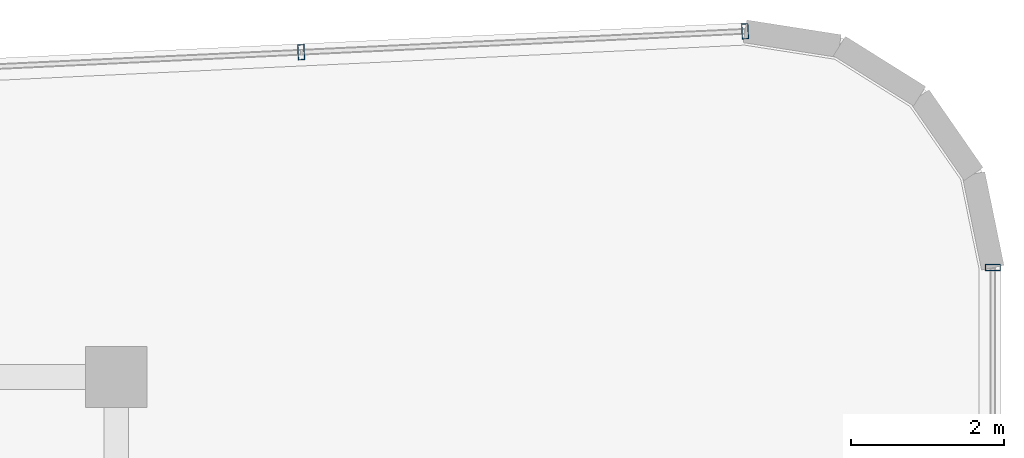
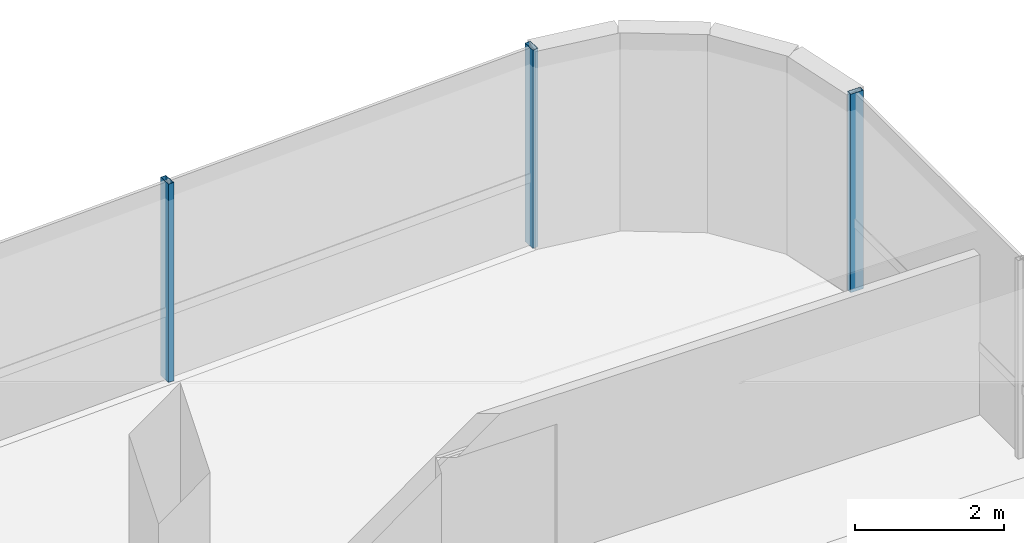
# One storey, part 14 of 20: 3 members, 2 elements without a shape of their own.
"""IFC4 building model written with IfcOpenShell, lengths in metres."""

from ifc_helpers import new_model, si_unit, direction, frame, origin, origin_2d, place, context, subcontext, project, spatial, hollow_rectangle, extrude, source, transform, mapped, material, material_profile, profile_set, type_object, element, aggregate, save


model = new_model("IFC4")

# Units and contexts
model_context = context("Model", 3, precision=1e-05, world=origin(), true_north=direction((0.0, 1.0)))
body_context = subcontext(model_context, "Body", "Model", "MODEL_VIEW")
ifc_project = project(units=[si_unit("LENGTHUNIT", "METRE"), si_unit("AREAUNIT", "SQUARE_METRE"), si_unit("VOLUMEUNIT", "CUBIC_METRE"), si_unit("PLANEANGLEUNIT", "RADIAN"), si_unit("MASSUNIT", "GRAM", prefix="KILO")], contexts=[model_context])

# Site, building, storey
site_placement = place(None, origin())
site = spatial("IfcSite", under=ifc_project, at=site_placement, CompositionType="ELEMENT")
building_placement = place(site_placement, origin())
building = spatial("IfcBuilding", under=site, at=building_placement, Name="Valdorenza Pilgrim Sanctuary Tower", CompositionType="ELEMENT")
storey_placement = place(building_placement, frame((0.0, 0.0, 283.5)))
storey = spatial("IfcBuildingStorey", under=building, at=storey_placement, Name="L74", CompositionType="ELEMENT", Elevation=283.5)

# Curtain wall, members
ifc_material_1 = material(Name="Curtain-wall IGU glazing", Category="glass")
curtain_wall_type = type_object("IfcCurtainWallType", Name="CW-SYS-02", PredefinedType="NOTDEFINED", material=ifc_material_1)
curtain_wall_1_placement = place(storey_placement, origin())
curtain_wall_1 = element("IfcCurtainWall", 1, at=curtain_wall_1_placement, inside=storey, type_object=curtain_wall_type, Name="L74 Curtain Wall CW-L74-1-6", PredefinedType="NOTDEFINED")
ifc_material_2 = material(Name="Anodised aluminium AW-6060", Category="aluminium")
ifc_material_profile = material_profile(ifc_material_2, hollow_rectangle(XDim=0.0849609375, YDim=0.199951171875, WallThickness=0.0048828125, at=origin_2d()), Name="ALU-M 200x85x5")
ifc_profile_set = profile_set([ifc_material_profile], Name="Anodised aluminium AW-6060")
member_type = type_object("IfcMemberType", Name="CW-MUL-02", PredefinedType="MULLION", material=ifc_profile_set)
shared_shape = source(origin(), body_context, "Body", "SweptSolid", [
    extrude(hollow_rectangle(XDim=0.0849609375, YDim=0.199951171875, WallThickness=0.0048828125, at=origin_2d()), origin(), (0.0, 0.0, 1.0), 3.260009765625),
])
member_1_placement = place(storey_placement, frame((-9.976318359375, 19.057373046875, 0.0), z_axis=(0.0, 0.0, 1.0), x_axis=(0.998890696972, 0.047089016785, 0.0)))
member_1 = element("IfcMember", 2, at=member_1_placement, type_object=member_type, Name="CW-L74-1-6 Mullion 4", PredefinedType="MULLION", context=body_context, shape_type="MappedRepresentation", body=[
    mapped(shared_shape, transform((0.0, 0.0, 0.0), x_axis=(1.0, 0.0, 0.0), y_axis=(0.0, 1.0, 0.0), z_axis=(0.0, 0.0, 1.0), scale=1.0)),
])
member_2_placement = place(storey_placement, frame((-4.15673828125, 19.331787109375, 0.0), z_axis=(0.0, 0.0, 1.0), x_axis=(0.998890696972, 0.047089016785, 0.0)))
member_2 = element("IfcMember", 3, at=member_2_placement, type_object=member_type, Name="CW-L74-1-6 Mullion 5", PredefinedType="MULLION", context=body_context, shape_type="MappedRepresentation", body=[
    mapped(shared_shape, transform((0.0, 0.0, 0.0), x_axis=(1.0, 0.0, 0.0), y_axis=(0.0, 1.0, 0.0), z_axis=(0.0, 0.0, 1.0), scale=1.0)),
])
aggregate(curtain_wall_1, [member_1, member_2])

# Curtain wall, member
curtain_wall_2_placement = place(storey_placement, origin())
curtain_wall_2 = element("IfcCurtainWall", 4, at=curtain_wall_2_placement, inside=storey, type_object=curtain_wall_type, Name="L74 Curtain Wall CW-L74-1-11", PredefinedType="NOTDEFINED")
member_3_placement = place(storey_placement, frame((-0.909912109375, 16.234375, 0.0), z_axis=(0.0, 0.0, 1.0), x_axis=(0.0, -1.0, 0.0)))
member_3 = element("IfcMember", 5, at=member_3_placement, type_object=member_type, Name="CW-L74-1-11 Mullion 1", PredefinedType="MULLION", context=body_context, shape_type="MappedRepresentation", body=[
    mapped(shared_shape, transform((0.0, 0.0, 0.0), x_axis=(1.0, 0.0, 0.0), y_axis=(0.0, 1.0, 0.0), z_axis=(0.0, 0.0, 1.0), scale=1.0)),
])
aggregate(curtain_wall_2, [member_3])

save(model, "model.ifc")
